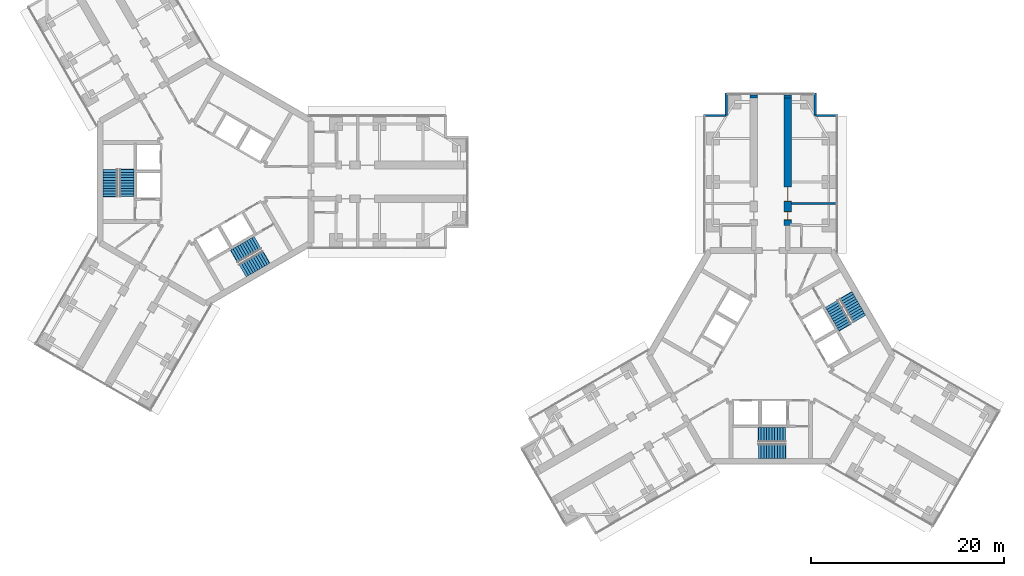
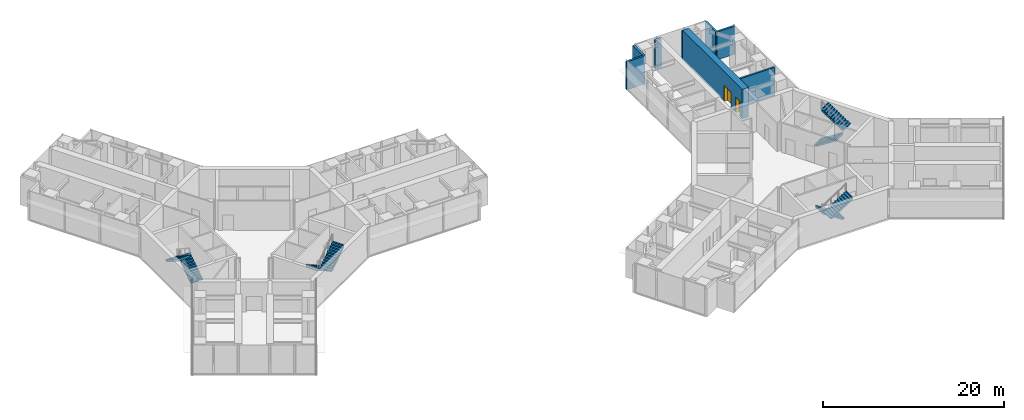
# One storey, part 20 of 21: 8 stair flights, 8 walls, 2 doors, 2 openings, 4 elements without a shape of their own.
"""IFC4 building model written with IfcOpenShell, lengths in metres."""

from ifc_helpers import new_model, si_unit, direction, frame, frame_2d, origin, place, context, subcontext, project, spatial, polyline, rectangle, outline, extrude, material, layer, layer_set, type_object, element, fill, aggregate, save


model = new_model("IFC4")

# Units and contexts
model_context = context("Model", 3, precision=1e-05, world=origin(), true_north=direction((0.0, 1.0)))
body_context = subcontext(model_context, "Body", "Model", "MODEL_VIEW")
ifc_project = project(units=[si_unit("LENGTHUNIT", "METRE"), si_unit("AREAUNIT", "SQUARE_METRE"), si_unit("VOLUMEUNIT", "CUBIC_METRE"), si_unit("PLANEANGLEUNIT", "RADIAN"), si_unit("MASSUNIT", "GRAM", prefix="KILO")], contexts=[model_context])

# Site, building, storey
site_placement = place(None, origin())
site = spatial("IfcSite", under=ifc_project, at=site_placement, CompositionType="ELEMENT")
building_placement = place(site_placement, origin())
building = spatial("IfcBuilding", under=site, at=building_placement, Name="Upepo Twin Towers", CompositionType="ELEMENT")
storey_placement = place(building_placement, frame((0.0, 0.0, 109.5)))
storey = spatial("IfcBuildingStorey", under=building, at=storey_placement, Name="L26", CompositionType="ELEMENT", Elevation=109.5)

# Walls
ifc_material_1 = material(Name="Concrete blockwork, plastered both faces", Category="masonry")
ifc_layer_1 = layer(ifc_material_1, 0.215087890625)
ifc_layer_set_1 = layer_set([ifc_layer_1], Name="Blockwork partition 215")
wall_type_1 = type_object("IfcWallType", Name="Blockwork partition 215", PredefinedType="PARTITIONING", material=ifc_layer_set_1)
wall_1_placement = place(storey_placement, frame((60.64990234375, -2.25, 0.0), z_axis=(0.0, 0.0, 1.0), x_axis=(1.0, 0.0, 0.0)))
element("IfcWall", 1, at=wall_1_placement, inside=storey, type_object=wall_type_1, Name="T2 partition AR at 15.75", PredefinedType="PARTITIONING", context=body_context, shape_type="SweptSolid", body=[
    extrude(rectangle(XDim=4.60009765625, YDim=0.215087890625, at=frame_2d((2.300048828125, 0.0))), origin(), (0.0, 0.0, 1.0), 3.800048828125),
])
ifc_material_2 = material(Name="Dense concrete blockwork", Category="masonry")
ifc_layer_2 = layer(ifc_material_2, 0.800048828125)
ifc_layer_set_2 = layer_set([ifc_layer_2], Name="Buttress closer 800, blockwork with fire-stopping to the curtain wall")
wall_type_2 = type_object("IfcWallType", Name="Buttress closer 800, blockwork with fire-stopping to the curtain wall", PredefinedType="PARTITIONING", material=ifc_layer_set_2)
for number, where, z_axis, x_axis, name in (
    (2, (56.75, 8.699951171875, 0.0), (0.0, 0.0, 1.0), (0.0, 1.0, 0.0), "T2 L26 wing A buttress closer L"),
    (3, (60.25, 8.699951171875, 0.0), (0.0, 0.0, 1.0), (0.0, 1.0, 0.0), "T2 L26 wing A buttress closer R"),
):
    element("IfcWall", number, at=place(storey_placement, frame(where, z_axis=z_axis, x_axis=x_axis)), inside=storey, type_object=wall_type_2, Name=name, PredefinedType="PARTITIONING", context=body_context, shape_type="SweptSolid", body=[
        extrude(rectangle(XDim=0.300048828125, YDim=0.800048828125, at=frame_2d((0.14990234375, 0.0))), origin(), (0.0, 0.0, 1.0), 3.800048828125),
    ])

# Wall, openings, doors
ifc_material_3 = material(Name="Concrete C60/75", Category="concrete")
ifc_layer_3 = layer(ifc_material_3, 0.800048828125)
ifc_layer_set_3 = layer_set([ifc_layer_3], Name="Concrete C60/75")
wall_type_3 = type_object("IfcWallType", Name="Buttress wall 800 RC", PredefinedType="SHEAR", material=ifc_layer_set_3)
wall_2_placement = place(storey_placement, frame((60.25, -4.5, 0.0), z_axis=(0.0, 0.0, 1.0), x_axis=(0.0, 1.0, 0.0)))
wall_2 = element("IfcWall", 4, at=wall_2_placement, inside=storey, type_object=wall_type_3, Name="T2 wing A buttress wall R part 2", PredefinedType="SHEAR", context=body_context, shape_type="SweptSolid", body=[
    extrude(rectangle(XDim=13.199951171875, YDim=0.800048828125, at=frame_2d((6.60009765625, 0.0))), origin(), (0.0, 0.0, 1.0), 4.0),
])
opening_1_placement = place(wall_2_placement, frame((0.550048828125, 0.0, 0.0)))
opening_1 = element("IfcOpeningElement", 5, at=opening_1_placement, cuts=wall_2, Name="Opening D11", PredefinedType="OPENING", context=body_context, shape_type="SweptSolid", body=[
    extrude(rectangle(XDim=0.89990234375, YDim=2.10009765625, at=frame_2d((0.449951171875, 1.050048828125))), frame((0.0, 0.409912109375, 0.0), z_axis=(0.0, -1.0, 0.0), x_axis=(1.0, 0.0, 0.0)), (0.0, 0.0, 1.0), 0.820068359375),
])
opening_2_placement = place(wall_2_placement, frame((2.5, 0.0, 0.0)))
opening_2 = element("IfcOpeningElement", 6, at=opening_2_placement, cuts=wall_2, Name="Opening D13", PredefinedType="OPENING", context=body_context, shape_type="SweptSolid", body=[
    extrude(rectangle(XDim=1.5, YDim=2.10009765625, at=frame_2d((0.75, 1.050048828125))), frame((0.0, 0.409912109375, 0.0), z_axis=(0.0, -1.0, 0.0), x_axis=(1.0, 0.0, 0.0)), (0.0, 0.0, 1.0), 0.820068359375),
])
ifc_material_4 = material(Name="Timber doorset", Category="wood")
door_type_1 = type_object("IfcDoorType", Name="Double door 1500 FD30", OperationType="DOUBLE_DOOR_SINGLE_SWING", PredefinedType="DOOR", material=ifc_material_4)
door_1_placement = place(opening_2_placement, origin())
door_1 = element("IfcDoor", 7, at=door_1_placement, inside=storey, type_object=door_type_1, Name="T2 L26 moot court door", OperationType="DOUBLE_DOOR_SINGLE_SWING", OverallHeight=2.10009765625, OverallWidth=1.5, PredefinedType="DOOR", context=body_context, shape_type="SweptSolid", body=[
    extrude(rectangle(XDim=1.42, YDim=2.06009765625, at=frame_2d((0.75, 1.030029296875))), frame((0.0, 0.02490234375, 0.0), z_axis=(0.0, -1.0, 0.0), x_axis=(1.0, 0.0, 0.0)), (0.0, 0.0, 1.0), 0.050048828125),
    extrude(rectangle(XDim=0.04, YDim=2.10009765625, at=frame_2d((0.02001953125, 1.050048828125))), frame((0.0, 0.39990234375, 0.0), z_axis=(0.0, -1.0, 0.0), x_axis=(1.0, 0.0, 0.0)), (0.0, 0.0, 1.0), 0.799560546875),
    extrude(rectangle(XDim=0.04, YDim=2.10009765625, at=frame_2d((1.47998046875, 1.050048828125))), frame((0.0, 0.39990234375, 0.0), z_axis=(0.0, -1.0, 0.0), x_axis=(1.0, 0.0, 0.0)), (0.0, 0.0, 1.0), 0.799560546875),
    extrude(rectangle(XDim=1.42, YDim=0.04, at=frame_2d((0.75, 2.080078125))), frame((0.0, 0.39990234375, 0.0), z_axis=(0.0, -1.0, 0.0), x_axis=(1.0, 0.0, 0.0)), (0.0, 0.0, 1.0), 0.799560546875),
])
fill(opening_2, door_1)
ifc_material_5 = material(Name="Timber doorset", Category="wood")
door_type_2 = type_object("IfcDoorType", Name="Toilet door 900", OperationType="SINGLE_SWING_LEFT", PredefinedType="DOOR", material=ifc_material_5)
door_2_placement = place(opening_1_placement, origin())
door_2 = element("IfcDoor", 8, at=door_2_placement, inside=storey, type_object=door_type_2, Name="T2 L26 toilets door", OperationType="SINGLE_SWING_LEFT", OverallHeight=2.10009765625, OverallWidth=0.89990234375, PredefinedType="DOOR", context=body_context, shape_type="SweptSolid", body=[
    extrude(rectangle(XDim=0.81990234375, YDim=2.06009765625, at=frame_2d((0.449951171875, 1.030029296875))), frame((0.0, 0.02490234375, 0.0), z_axis=(0.0, -1.0, 0.0), x_axis=(1.0, 0.0, 0.0)), (0.0, 0.0, 1.0), 0.050048828125),
    extrude(rectangle(XDim=0.04, YDim=2.10009765625, at=frame_2d((0.02001953125, 1.050048828125))), frame((0.0, 0.39990234375, 0.0), z_axis=(0.0, -1.0, 0.0), x_axis=(1.0, 0.0, 0.0)), (0.0, 0.0, 1.0), 0.799560546875),
    extrude(rectangle(XDim=0.04, YDim=2.10009765625, at=frame_2d((0.8798828125, 1.050048828125))), frame((0.0, 0.39990234375, 0.0), z_axis=(0.0, -1.0, 0.0), x_axis=(1.0, 0.0, 0.0)), (0.0, 0.0, 1.0), 0.799560546875),
    extrude(rectangle(XDim=0.81990234375, YDim=0.04, at=frame_2d((0.449951171875, 2.080078125))), frame((0.0, 0.39990234375, 0.0), z_axis=(0.0, -1.0, 0.0), x_axis=(1.0, 0.0, 0.0)), (0.0, 0.0, 1.0), 0.799560546875),
])
fill(opening_1, door_2)

# Walls
ifc_material_6 = material(Name="Blockwork with anodised aluminium cladding", Category="masonry")
ifc_layer_4 = layer(ifc_material_6, 0.25)
ifc_layer_set_4 = layer_set([ifc_layer_4], Name="Notch cladding wall 250, pale metal")
wall_type_4 = type_object("IfcWallType", Name="Notch cladding wall 250, pale metal", PredefinedType="STANDARD", material=ifc_layer_set_4)
for number, where, z_axis, x_axis, name in (
    (9, (51.550048828125, 6.875, 0.0), (0.0, 0.0, 1.0), (1.0, 0.0, 0.0), "T2 L26 wing A notch wall L1"),
    (10, (53.875, 6.875, 0.0), (0.0, 0.0, 1.0), (0.0, 1.0, 0.0), "T2 L26 wing A notch wall L2"),
    (11, (65.449951171875, 6.875, 0.0), (0.0, 0.0, 1.0), (-1.0, 0.0, 0.0), "T2 L26 wing A notch wall R1"),
    (12, (63.125, 6.875, 0.0), (0.0, 0.0, 1.0), (0.0, 1.0, 0.0), "T2 L26 wing A notch wall R2"),
):
    element("IfcWall", number, at=place(storey_placement, frame(where, z_axis=z_axis, x_axis=x_axis)), inside=storey, type_object=wall_type_4, Name=name, PredefinedType="STANDARD", context=body_context, shape_type="SweptSolid", body=[
        extrude(rectangle(XDim=2.324951171875, YDim=0.25, at=frame_2d((1.16259765625, 0.0))), origin(), (0.0, 0.0, 1.0), 3.800048828125),
    ])

# Stair, stair flights
ifc_material_7 = material(Name="Concrete C40/50", Category="concrete")
stair_type = type_object("IfcStairType", Name="Core stair, two flights", PredefinedType="HALF_TURN_STAIR", material=ifc_material_7)
stair_1_placement = place(storey_placement, origin())
stair_1 = element("IfcStair", 13, at=stair_1_placement, inside=storey, type_object=stair_type, Name="T1 stair S1 L26", PredefinedType="HALF_TURN_STAIR")
ifc_material_8 = material(Name="Concrete C40/50", Category="concrete")
stair_flight_type = type_object("IfcStairFlightType", Name="Stair flight 1500 RC", PredefinedType="STRAIGHT", material=ifc_material_8)
stair_flight_1_placement = place(storey_placement, frame((-8.14990234375, -1.52001953125, 0.0), z_axis=(0.0, 0.0, 1.0), x_axis=(0.0, 1.0, 0.0)))
stair_flight_1 = element("IfcStairFlight", 14, at=stair_flight_1_placement, type_object=stair_flight_type, Name="Stair S1 flight 1", NumberOfRisers=11, NumberOfTreads=10, PredefinedType="STRAIGHT", RiserHeight=0.181818182, TreadLength=0.28, context=body_context, shape_type="SweptSolid", body=[
    extrude(outline(polyline([(0.0, 0.0), (0.0, 0.181884765625), (0.280029296875, 0.181884765625), (0.280029296875, 0.363525390625), (0.56005859375, 0.363525390625), (0.56005859375, 0.54541015625), (0.840087890625, 0.54541015625), (0.840087890625, 0.727294921875), (1.1201171875, 0.727294921875), (1.1201171875, 0.9091796875), (1.39990234375, 0.9091796875), (1.39990234375, 1.0908203125), (1.679931640625, 1.0908203125), (1.679931640625, 1.272705078125), (1.9599609375, 1.272705078125), (1.9599609375, 1.45458984375), (2.239990234375, 1.45458984375), (2.239990234375, 1.636474609375), (2.52001953125, 1.636474609375), (2.52001953125, 1.818115234375), (2.800048828125, 1.818115234375), (2.800048828125, 2.0), (2.85009765625, 2.0), (2.85009765625, 1.639404296875), (0.3251953125, 0.0), (0.0, 0.0)])), frame((0.0, 0.75, 0.0), z_axis=(0.0, -1.0, 0.0), x_axis=(1.0, 0.0, 0.0)), (0.0, 0.0, 1.0), 1.5),
])
stair_flight_2_placement = place(storey_placement, frame((-9.8583984375, 1.280029296875, 2.0), z_axis=(0.0, 0.0, 1.0), x_axis=(0.0, -1.0, 0.0)))
stair_flight_2 = element("IfcStairFlight", 15, at=stair_flight_2_placement, type_object=stair_flight_type, Name="Stair S1 flight 2", NumberOfRisers=11, NumberOfTreads=10, PredefinedType="STRAIGHT", RiserHeight=0.181818182, TreadLength=0.28, context=body_context, shape_type="SweptSolid", body=[
    extrude(outline(polyline([(0.0, 0.0), (0.0, 0.181884765625), (0.280029296875, 0.181884765625), (0.280029296875, 0.363525390625), (0.56005859375, 0.363525390625), (0.56005859375, 0.54541015625), (0.840087890625, 0.54541015625), (0.840087890625, 0.727294921875), (1.1201171875, 0.727294921875), (1.1201171875, 0.9091796875), (1.39990234375, 0.9091796875), (1.39990234375, 1.0908203125), (1.679931640625, 1.0908203125), (1.679931640625, 1.272705078125), (1.9599609375, 1.272705078125), (1.9599609375, 1.45458984375), (2.239990234375, 1.45458984375), (2.239990234375, 1.636474609375), (2.52001953125, 1.636474609375), (2.52001953125, 1.818115234375), (2.800048828125, 1.818115234375), (2.800048828125, 2.0), (2.85009765625, 2.0), (2.85009765625, 1.639404296875), (0.3251953125, 0.0), (0.0, 0.0)])), frame((0.0, 0.75, 0.0), z_axis=(0.0, -1.0, 0.0), x_axis=(1.0, 0.0, 0.0)), (0.0, 0.0, 1.0), 1.5),
])
aggregate(stair_1, [stair_flight_1, stair_flight_2])

stair_2_placement = place(storey_placement, origin())
stair_2 = element("IfcStair", 16, at=stair_2_placement, inside=storey, type_object=stair_type, Name="T1 stair S2 L26", PredefinedType="HALF_TURN_STAIR")
stair_flight_3_placement = place(storey_placement, frame((5.391357421875, -6.298095703125, 0.0), z_axis=(0.0, 0.0, 1.0), x_axis=(-0.866025403784, -0.5, 0.0)))
stair_flight_3 = element("IfcStairFlight", 17, at=stair_flight_3_placement, type_object=stair_flight_type, Name="Stair S2 flight 1", NumberOfRisers=11, NumberOfTreads=10, PredefinedType="STRAIGHT", RiserHeight=0.181818182, TreadLength=0.28, context=body_context, shape_type="SweptSolid", body=[
    extrude(outline(polyline([(0.0, 0.0), (0.0, 0.181884765625), (0.280029296875, 0.181884765625), (0.280029296875, 0.363525390625), (0.56005859375, 0.363525390625), (0.56005859375, 0.54541015625), (0.840087890625, 0.54541015625), (0.840087890625, 0.727294921875), (1.1201171875, 0.727294921875), (1.1201171875, 0.9091796875), (1.39990234375, 0.9091796875), (1.39990234375, 1.0908203125), (1.679931640625, 1.0908203125), (1.679931640625, 1.272705078125), (1.9599609375, 1.272705078125), (1.9599609375, 1.45458984375), (2.239990234375, 1.45458984375), (2.239990234375, 1.636474609375), (2.52001953125, 1.636474609375), (2.52001953125, 1.818115234375), (2.800048828125, 1.818115234375), (2.800048828125, 2.0), (2.85009765625, 2.0), (2.85009765625, 1.639404296875), (0.3251953125, 0.0), (0.0, 0.0)])), frame((0.0, 0.75, 0.0), z_axis=(0.0, -1.0, 0.0), x_axis=(1.0, 0.0, 0.0)), (0.0, 0.0, 1.0), 1.5),
])
stair_flight_4_placement = place(storey_placement, frame((3.820556640625, -9.177490234375, 2.0), z_axis=(0.0, 0.0, 1.0), x_axis=(0.866025403784, 0.5, 0.0)))
stair_flight_4 = element("IfcStairFlight", 18, at=stair_flight_4_placement, type_object=stair_flight_type, Name="Stair S2 flight 2", NumberOfRisers=11, NumberOfTreads=10, PredefinedType="STRAIGHT", RiserHeight=0.181818182, TreadLength=0.28, context=body_context, shape_type="SweptSolid", body=[
    extrude(outline(polyline([(0.0, 0.0), (0.0, 0.181884765625), (0.280029296875, 0.181884765625), (0.280029296875, 0.363525390625), (0.56005859375, 0.363525390625), (0.56005859375, 0.54541015625), (0.840087890625, 0.54541015625), (0.840087890625, 0.727294921875), (1.1201171875, 0.727294921875), (1.1201171875, 0.9091796875), (1.39990234375, 0.9091796875), (1.39990234375, 1.0908203125), (1.679931640625, 1.0908203125), (1.679931640625, 1.272705078125), (1.9599609375, 1.272705078125), (1.9599609375, 1.45458984375), (2.239990234375, 1.45458984375), (2.239990234375, 1.636474609375), (2.52001953125, 1.636474609375), (2.52001953125, 1.818115234375), (2.800048828125, 1.818115234375), (2.800048828125, 2.0), (2.85009765625, 2.0), (2.85009765625, 1.639404296875), (0.3251953125, 0.0), (0.0, 0.0)])), frame((0.0, 0.75, 0.0), z_axis=(0.0, -1.0, 0.0), x_axis=(1.0, 0.0, 0.0)), (0.0, 0.0, 1.0), 1.5),
])
aggregate(stair_2, [stair_flight_3, stair_flight_4])

stair_3_placement = place(storey_placement, origin())
stair_3 = element("IfcStair", 19, at=stair_3_placement, inside=storey, type_object=stair_type, Name="T2 stair S1 L26", PredefinedType="HALF_TURN_STAIR")
stair_flight_5_placement = place(storey_placement, frame((60.02001953125, -26.14990234375, 0.0), z_axis=(0.0, 0.0, 1.0), x_axis=(-1.0, 0.0, 0.0)))
stair_flight_5 = element("IfcStairFlight", 20, at=stair_flight_5_placement, type_object=stair_flight_type, Name="Stair S1 flight 1", NumberOfRisers=11, NumberOfTreads=10, PredefinedType="STRAIGHT", RiserHeight=0.181818182, TreadLength=0.28, context=body_context, shape_type="SweptSolid", body=[
    extrude(outline(polyline([(0.0, 0.0), (0.0, 0.181884765625), (0.280029296875, 0.181884765625), (0.280029296875, 0.363525390625), (0.56005859375, 0.363525390625), (0.56005859375, 0.54541015625), (0.840087890625, 0.54541015625), (0.840087890625, 0.727294921875), (1.1201171875, 0.727294921875), (1.1201171875, 0.9091796875), (1.39990234375, 0.9091796875), (1.39990234375, 1.0908203125), (1.679931640625, 1.0908203125), (1.679931640625, 1.272705078125), (1.9599609375, 1.272705078125), (1.9599609375, 1.45458984375), (2.239990234375, 1.45458984375), (2.239990234375, 1.636474609375), (2.52001953125, 1.636474609375), (2.52001953125, 1.818115234375), (2.800048828125, 1.818115234375), (2.800048828125, 2.0), (2.85009765625, 2.0), (2.85009765625, 1.639404296875), (0.3251953125, 0.0), (0.0, 0.0)])), frame((0.0, 0.75, 0.0), z_axis=(0.0, -1.0, 0.0), x_axis=(1.0, 0.0, 0.0)), (0.0, 0.0, 1.0), 1.5),
])
stair_flight_6_placement = place(storey_placement, frame((57.219970703125, -27.8583984375, 2.0), z_axis=(0.0, 0.0, 1.0), x_axis=(1.0, 0.0, 0.0)))
stair_flight_6 = element("IfcStairFlight", 21, at=stair_flight_6_placement, type_object=stair_flight_type, Name="Stair S1 flight 2", NumberOfRisers=11, NumberOfTreads=10, PredefinedType="STRAIGHT", RiserHeight=0.181818182, TreadLength=0.28, context=body_context, shape_type="SweptSolid", body=[
    extrude(outline(polyline([(0.0, 0.0), (0.0, 0.181884765625), (0.280029296875, 0.181884765625), (0.280029296875, 0.363525390625), (0.56005859375, 0.363525390625), (0.56005859375, 0.54541015625), (0.840087890625, 0.54541015625), (0.840087890625, 0.727294921875), (1.1201171875, 0.727294921875), (1.1201171875, 0.9091796875), (1.39990234375, 0.9091796875), (1.39990234375, 1.0908203125), (1.679931640625, 1.0908203125), (1.679931640625, 1.272705078125), (1.9599609375, 1.272705078125), (1.9599609375, 1.45458984375), (2.239990234375, 1.45458984375), (2.239990234375, 1.636474609375), (2.52001953125, 1.636474609375), (2.52001953125, 1.818115234375), (2.800048828125, 1.818115234375), (2.800048828125, 2.0), (2.85009765625, 2.0), (2.85009765625, 1.639404296875), (0.3251953125, 0.0), (0.0, 0.0)])), frame((0.0, 0.75, 0.0), z_axis=(0.0, -1.0, 0.0), x_axis=(1.0, 0.0, 0.0)), (0.0, 0.0, 1.0), 1.5),
])
aggregate(stair_3, [stair_flight_5, stair_flight_6])

stair_4_placement = place(storey_placement, origin())
stair_4 = element("IfcStair", 22, at=stair_4_placement, inside=storey, type_object=stair_type, Name="T2 stair S2 L26", PredefinedType="HALF_TURN_STAIR")
stair_flight_7_placement = place(storey_placement, frame((64.798095703125, -12.608642578125, 0.0), z_axis=(0.0, 0.0, 1.0), x_axis=(0.5, -0.866025403784, 0.0)))
stair_flight_7 = element("IfcStairFlight", 23, at=stair_flight_7_placement, type_object=stair_flight_type, Name="Stair S2 flight 1", NumberOfRisers=11, NumberOfTreads=10, PredefinedType="STRAIGHT", RiserHeight=0.181818182, TreadLength=0.28, context=body_context, shape_type="SweptSolid", body=[
    extrude(outline(polyline([(0.0, 0.0), (0.0, 0.181884765625), (0.280029296875, 0.181884765625), (0.280029296875, 0.363525390625), (0.56005859375, 0.363525390625), (0.56005859375, 0.54541015625), (0.840087890625, 0.54541015625), (0.840087890625, 0.727294921875), (1.1201171875, 0.727294921875), (1.1201171875, 0.9091796875), (1.39990234375, 0.9091796875), (1.39990234375, 1.0908203125), (1.679931640625, 1.0908203125), (1.679931640625, 1.272705078125), (1.9599609375, 1.272705078125), (1.9599609375, 1.45458984375), (2.239990234375, 1.45458984375), (2.239990234375, 1.636474609375), (2.52001953125, 1.636474609375), (2.52001953125, 1.818115234375), (2.800048828125, 1.818115234375), (2.800048828125, 2.0), (2.85009765625, 2.0), (2.85009765625, 1.639404296875), (0.3251953125, 0.0), (0.0, 0.0)])), frame((0.0, 0.75, 0.0), z_axis=(0.0, -1.0, 0.0), x_axis=(1.0, 0.0, 0.0)), (0.0, 0.0, 1.0), 1.5),
])
stair_flight_8_placement = place(storey_placement, frame((67.677490234375, -14.179443359375, 2.0), z_axis=(0.0, 0.0, 1.0), x_axis=(-0.5, 0.866025403784, 0.0)))
stair_flight_8 = element("IfcStairFlight", 24, at=stair_flight_8_placement, type_object=stair_flight_type, Name="Stair S2 flight 2", NumberOfRisers=11, NumberOfTreads=10, PredefinedType="STRAIGHT", RiserHeight=0.181818182, TreadLength=0.28, context=body_context, shape_type="SweptSolid", body=[
    extrude(outline(polyline([(0.0, 0.0), (0.0, 0.181884765625), (0.280029296875, 0.181884765625), (0.280029296875, 0.363525390625), (0.56005859375, 0.363525390625), (0.56005859375, 0.54541015625), (0.840087890625, 0.54541015625), (0.840087890625, 0.727294921875), (1.1201171875, 0.727294921875), (1.1201171875, 0.9091796875), (1.39990234375, 0.9091796875), (1.39990234375, 1.0908203125), (1.679931640625, 1.0908203125), (1.679931640625, 1.272705078125), (1.9599609375, 1.272705078125), (1.9599609375, 1.45458984375), (2.239990234375, 1.45458984375), (2.239990234375, 1.636474609375), (2.52001953125, 1.636474609375), (2.52001953125, 1.818115234375), (2.800048828125, 1.818115234375), (2.800048828125, 2.0), (2.85009765625, 2.0), (2.85009765625, 1.639404296875), (0.3251953125, 0.0), (0.0, 0.0)])), frame((0.0, 0.75, 0.0), z_axis=(0.0, -1.0, 0.0), x_axis=(1.0, 0.0, 0.0)), (0.0, 0.0, 1.0), 1.5),
])
aggregate(stair_4, [stair_flight_7, stair_flight_8])

save(model, "model.ifc")
